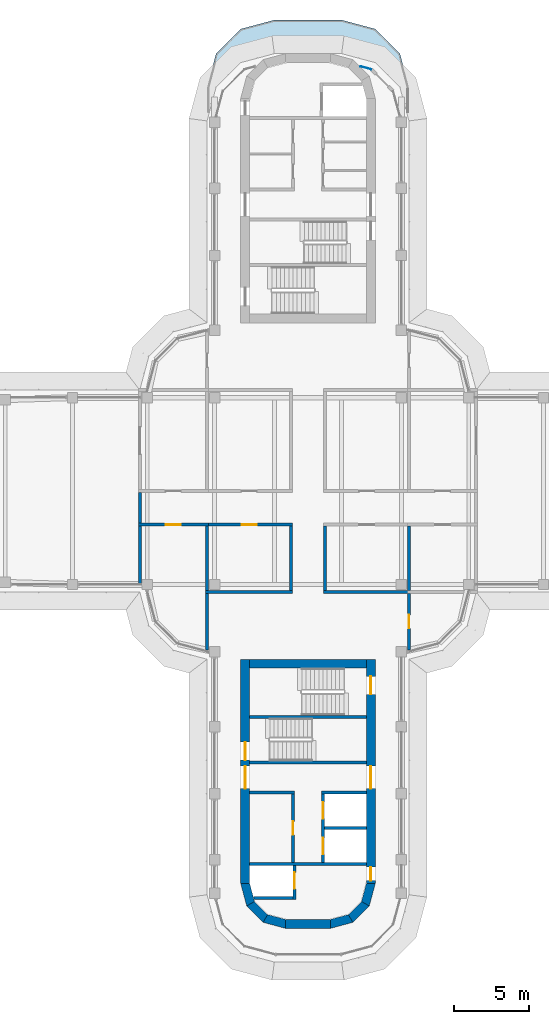
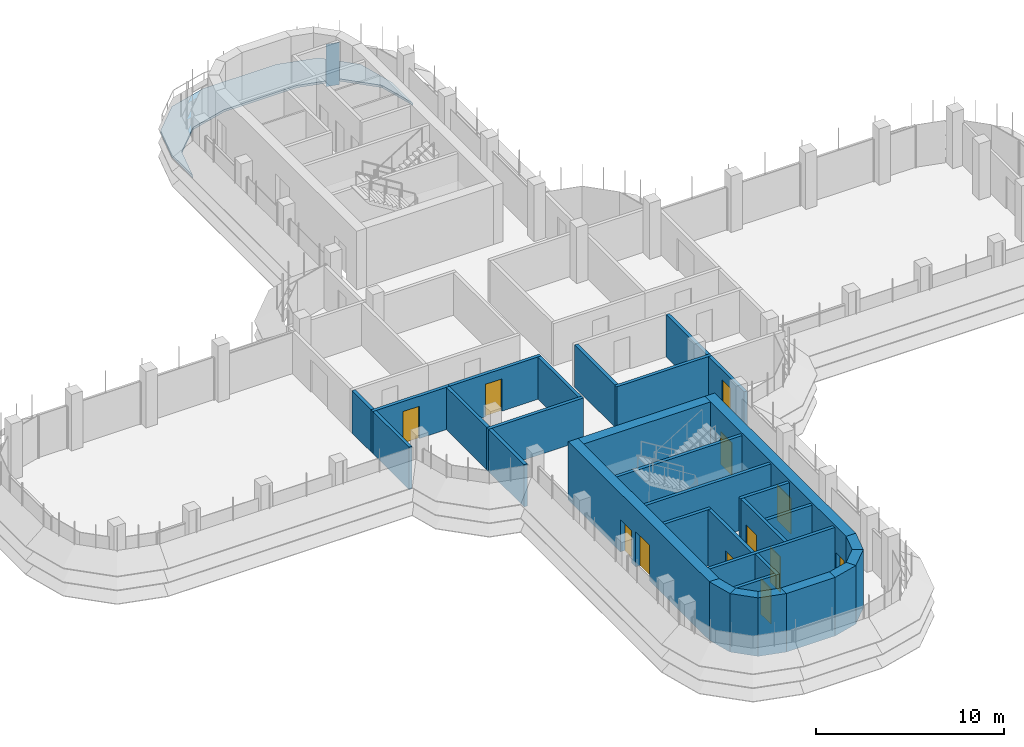
# One storey, part 13 of 19: 32 walls, 12 doors, 1 plate, 1 slab, 12 openings, 1 element without a shape of its own.
"""IFC4 building model written with IfcOpenShell, lengths in metres."""

from ifc_helpers import new_model, si_unit, direction, frame, frame_2d, origin, place, context, subcontext, project, spatial, polyline, rectangle, outline, extrude, source, transform, mapped, material, layer, layer_set, type_object, element, fill, aggregate, save


model = new_model("IFC4")

# Units and contexts
model_context = context("Model", 3, precision=1e-05, world=origin(), true_north=direction((0.0, 1.0)))
body_context = subcontext(model_context, "Body", "Model", "MODEL_VIEW")
ifc_project = project(units=[si_unit("LENGTHUNIT", "METRE"), si_unit("AREAUNIT", "SQUARE_METRE"), si_unit("VOLUMEUNIT", "CUBIC_METRE"), si_unit("PLANEANGLEUNIT", "RADIAN"), si_unit("MASSUNIT", "GRAM", prefix="KILO")], contexts=[model_context])

# Site, building, storey
site_placement = place(None, origin())
site = spatial("IfcSite", under=ifc_project, at=site_placement, CompositionType="ELEMENT")
building_placement = place(site_placement, origin())
building = spatial("IfcBuilding", under=site, at=building_placement, Name="Zarbagh Exchange Tower", CompositionType="ELEMENT")
storey_placement = place(building_placement, frame((0.0, 0.0, 218.199951171875)))
storey = spatial("IfcBuildingStorey", under=building, at=storey_placement, Name="L53", CompositionType="ELEMENT", Elevation=218.199951171875)

# Slab
ifc_material_1 = material(Name="Concrete C40/50", Category="concrete")
ifc_layer_1 = layer(ifc_material_1, 0.14990234375)
ifc_layer_set_1 = layer_set([ifc_layer_1], Name="Step terrace roof slab 150 C40/50")
slab_type = type_object("IfcSlabType", Name="Step terrace roof slab 150 C40/50", PredefinedType="ROOF", material=ifc_layer_set_1)
slab_placement = place(storey_placement, frame((0.0, 0.0, -0.14990234375)))
element("IfcSlab", 1, at=slab_placement, inside=storey, type_object=slab_type, Name="S10 step terrace roof slab", PredefinedType="ROOF", context=body_context, shape_type="SweptSolid", body=[
    extrude(outline(polyline([(-6.75, 27.0), (-6.147216796875, 29.25), (-4.5, 30.897216796875), (-2.25, 31.5), (2.25, 31.5), (4.5, 30.897216796875), (6.147216796875, 29.25), (6.75, 27.0), (6.75, 24.75), (6.147216796875, 27.0), (4.5, 28.647216796875), (2.25, 29.25), (-2.25, 29.25), (-4.5, 28.647216796875), (-6.147216796875, 27.0), (-6.75, 24.75), (-6.75, 27.0)])), origin(), (0.0, 0.0, 1.0), 0.14990234375),
])

# Curtain wall, plate
ifc_material_2 = material(Name="Anodised aluminium frame and glazing", Category="aluminium")
curtain_wall_type = type_object("IfcCurtainWallType", Name="CWB Ribbon glazing, upper zones", PredefinedType="NOTDEFINED", material=ifc_material_2)
curtain_wall_placement = place(storey_placement, origin())
curtain_wall = element("IfcCurtainWall", 2, at=curtain_wall_placement, inside=storey, type_object=curtain_wall_type, Name="CWB69 curtain wall", PredefinedType="NOTDEFINED")
ifc_material_3 = material(Name="Low-e double glazed unit, 6+12+6 mm")
ifc_layer_2 = layer(ifc_material_3, 0.031982421875)
ifc_layer_set_2 = layer_set([ifc_layer_2], Name="PAB Glazing panel, Low-e double glazed unit, 6+12+6 mm")
plate_type = type_object("IfcPlateType", Name="PAB Glazing panel, Low-e double glazed unit, 6+12+6 mm", PredefinedType="CURTAIN_PANEL", material=ifc_layer_set_2)
shared_shape = source(origin(), body_context, "Body", "SweptSolid", [
    extrude(outline(polyline([(0.0, -0.01611328125), (0.757080078125, -0.01611328125), (0.757080078125, 0.01611328125), (0.0, 0.01611328125), (0.0, -0.01611328125)])), origin(), (0.0, 0.0, 1.0), 2.75),
])
plate_placement = place(storey_placement, origin())
plate = element("IfcPlate", 3, at=plate_placement, type_object=plate_type, Name="CWB69 glazing panel 1.1", PredefinedType="CURTAIN_PANEL", context=body_context, shape_type="MappedRepresentation", body=[
    mapped(shared_shape, transform((4.2412109375, 28.19873046875, 0.0), x_axis=(-0.965924289636, 0.258824779902, 0.0), y_axis=(-0.258824779902, -0.965924289636, 0.0), z_axis=(0.0, 0.0, 1.0))),
])
aggregate(curtain_wall, [plate])

# Wall, opening, door
ifc_material_4 = material(Name="Fire-rated plasterboard partition")
ifc_layer_3 = layer(ifc_material_4, 0.199951171875)
ifc_layer_set_3 = layer_set([ifc_layer_3], Name="RATED PARTITION 200")
wall_type_1 = type_object("IfcWallType", Name="RATED PARTITION 200", PredefinedType="PARTITIONING", material=ifc_layer_set_3)
wall_1_placement = place(storey_placement, frame((-1.02490234375, -2.25, 0.0), z_axis=(0.0, 0.0, 1.0), x_axis=(-1.0, 0.0, 0.0)))
wall_1 = element("IfcWall", 4, at=wall_1_placement, inside=storey, type_object=wall_type_1, Name="Partition W-2307", PredefinedType="PARTITIONING", context=body_context, shape_type="SweptSolid", body=[
    extrude(rectangle(XDim=5.8251953125, YDim=0.199951171875, at=frame_2d((2.91259765625, 0.0))), origin(), (0.0, 0.0, 1.0), 2.75),
])
opening_1_placement = place(wall_1_placement, frame((2.41259765625, 0.0, 0.0)))
opening_1 = element("IfcOpeningElement", 5, at=opening_1_placement, cuts=wall_1, Name="Opening D-2312", PredefinedType="OPENING", context=body_context, shape_type="SweptSolid", body=[
    extrude(rectangle(XDim=1.0, YDim=2.10009765625, at=frame_2d((0.5, 1.050048828125))), frame((0.0, 0.10986328125, 0.0), z_axis=(0.0, -1.0, 0.0), x_axis=(1.0, 0.0, 0.0)), (0.0, 0.0, 1.0), 0.219970703125),
])
ifc_material_5 = material(Name="Steel door set", Category="steel")
door_type_1 = type_object("IfcDoorType", Name="FIRE DOOR 1000 X 2100 FD30S", OperationType="NOTDEFINED", PredefinedType="DOOR", material=ifc_material_5)
door_1_placement = place(opening_1_placement, origin())
door_1 = element("IfcDoor", 6, at=door_1_placement, inside=storey, type_object=door_type_1, Name="Door D-2312", OperationType="SINGLE_SWING_RIGHT", OverallHeight=2.10009765625, OverallWidth=1.0, PredefinedType="DOOR", context=body_context, shape_type="SweptSolid", body=[
    extrude(rectangle(XDim=1.0, YDim=2.10009765625, at=frame_2d((0.5, 1.050048828125))), frame((0.0, 0.02490234375, 0.0), z_axis=(0.0, -1.0, 0.0), x_axis=(1.0, 0.0, 0.0)), (0.0, 0.0, 1.0), 0.050048828125),
])
fill(opening_1, door_1)

wall_2_placement = place(storey_placement, frame((-6.64990234375, -2.25, 0.0), z_axis=(0.0, 0.0, 1.0), x_axis=(-1.0, 0.0, 0.0)))
wall_2 = element("IfcWall", 7, at=wall_2_placement, inside=storey, type_object=wall_type_1, Name="Partition W-2308", PredefinedType="PARTITIONING", context=body_context, shape_type="SweptSolid", body=[
    extrude(rectangle(XDim=4.7001953125, YDim=0.199951171875, at=frame_2d((2.35009765625, 0.0))), origin(), (0.0, 0.0, 1.0), 2.75),
])
opening_2_placement = place(wall_2_placement, frame((1.85009765625, 0.0, 0.0)))
opening_2 = element("IfcOpeningElement", 8, at=opening_2_placement, cuts=wall_2, Name="Opening D-2313", PredefinedType="OPENING", context=body_context, shape_type="SweptSolid", body=[
    extrude(rectangle(XDim=1.0, YDim=2.10009765625, at=frame_2d((0.5, 1.050048828125))), frame((0.0, 0.10986328125, 0.0), z_axis=(0.0, -1.0, 0.0), x_axis=(1.0, 0.0, 0.0)), (0.0, 0.0, 1.0), 0.219970703125),
])
door_2_placement = place(opening_2_placement, origin())
door_2 = element("IfcDoor", 9, at=door_2_placement, inside=storey, type_object=door_type_1, Name="Door D-2313", OperationType="SINGLE_SWING_RIGHT", OverallHeight=2.10009765625, OverallWidth=1.0, PredefinedType="DOOR", context=body_context, shape_type="SweptSolid", body=[
    extrude(rectangle(XDim=1.0, YDim=2.10009765625, at=frame_2d((0.5, 1.050048828125))), frame((0.0, 0.02490234375, 0.0), z_axis=(0.0, -1.0, 0.0), x_axis=(1.0, 0.0, 0.0)), (0.0, 0.0, 1.0), 0.050048828125),
])
fill(opening_2, door_2)

# Walls
wall_3_placement = place(storey_placement, frame((-11.25, -2.14990234375, 0.0), z_axis=(0.0, 0.0, 1.0), x_axis=(0.0, 1.0, 0.0)))
element("IfcWall", 10, at=wall_3_placement, inside=storey, type_object=wall_type_1, Name="Partition W-2310", PredefinedType="PARTITIONING", context=body_context, shape_type="SweptSolid", body=[
    extrude(rectangle(XDim=2.0498046875, YDim=0.199951171875, at=frame_2d((1.02490234375, 0.0))), origin(), (0.0, 0.0, 1.0), 2.75),
])
for number, where, z_axis, x_axis, name in (
    (11, (1.125, -6.64990234375, 0.0), (0.0, 0.0, 1.0), (0.0, 1.0, 0.0), "Partition W-2313"),
    (12, (-1.125, -6.64990234375, 0.0), (0.0, 0.0, 1.0), (0.0, 1.0, 0.0), "Partition W-2314"),
):
    element("IfcWall", number, at=place(storey_placement, frame(where, z_axis=z_axis, x_axis=x_axis)), inside=storey, type_object=wall_type_1, Name=name, PredefinedType="PARTITIONING", context=body_context, shape_type="SweptSolid", body=[
        extrude(rectangle(XDim=4.2998046875, YDim=0.199951171875, at=frame_2d((2.14990234375, 0.0))), origin(), (0.0, 0.0, 1.0), 2.75),
    ])
wall_4_placement = place(storey_placement, frame((1.02490234375, -6.75, 0.0), z_axis=(0.0, 0.0, 1.0), x_axis=(1.0, 0.0, 0.0)))
element("IfcWall", 13, at=wall_4_placement, inside=storey, type_object=wall_type_1, Name="Partition W-2319", PredefinedType="PARTITIONING", context=body_context, shape_type="SweptSolid", body=[
    extrude(rectangle(XDim=5.8251953125, YDim=0.199951171875, at=frame_2d((2.91259765625, 0.0))), origin(), (0.0, 0.0, 1.0), 2.75),
])

# Wall, opening, door
wall_5_placement = place(storey_placement, frame((6.75, -6.85009765625, 0.0), z_axis=(0.0, 0.0, 1.0), x_axis=(0.0, -1.0, 0.0)))
wall_5 = element("IfcWall", 14, at=wall_5_placement, inside=storey, type_object=wall_type_1, Name="Partition W-2320", PredefinedType="PARTITIONING", context=body_context, shape_type="SweptSolid", body=[
    extrude(rectangle(XDim=3.77978515625, YDim=0.199951171875, at=frame_2d((1.889892578125, 0.0))), origin(), (0.0, 0.0, 1.0), 2.75),
])
opening_3_placement = place(wall_5_placement, frame((1.43994140625, 0.0, 0.0)))
opening_3 = element("IfcOpeningElement", 15, at=opening_3_placement, cuts=wall_5, Name="Opening D-2311", PredefinedType="OPENING", context=body_context, shape_type="SweptSolid", body=[
    extrude(rectangle(XDim=0.89990234375, YDim=2.10009765625, at=frame_2d((0.449951171875, 1.050048828125))), frame((0.0, 0.10986328125, 0.0), z_axis=(0.0, -1.0, 0.0), x_axis=(1.0, 0.0, 0.0)), (0.0, 0.0, 1.0), 0.219970703125),
])
ifc_material_6 = material(Name="Timber door leaf", Category="wood")
door_type_2 = type_object("IfcDoorType", Name="DOOR 900 X 2100", OperationType="NOTDEFINED", PredefinedType="DOOR", material=ifc_material_6)
door_3_placement = place(opening_3_placement, origin())
door_3 = element("IfcDoor", 16, at=door_3_placement, inside=storey, type_object=door_type_2, Name="Door D-2311", OperationType="SINGLE_SWING_LEFT", OverallHeight=2.10009765625, OverallWidth=0.89990234375, PredefinedType="DOOR", context=body_context, shape_type="SweptSolid", body=[
    extrude(rectangle(XDim=0.89990234375, YDim=2.10009765625, at=frame_2d((0.449951171875, 1.050048828125))), frame((0.0, 0.02490234375, 0.0), z_axis=(0.0, -1.0, 0.0), x_axis=(1.0, 0.0, 0.0)), (0.0, 0.0, 1.0), 0.050048828125),
])
fill(opening_3, door_3)

# Walls
wall_6_placement = place(storey_placement, frame((-6.85009765625, -6.75, 0.0), z_axis=(0.0, 0.0, 1.0), x_axis=(1.0, 0.0, 0.0)))
element("IfcWall", 17, at=wall_6_placement, inside=storey, type_object=wall_type_1, Name="Partition W-2321", PredefinedType="PARTITIONING", context=body_context, shape_type="SweptSolid", body=[
    extrude(rectangle(XDim=5.8251953125, YDim=0.199951171875, at=frame_2d((2.91259765625, 0.0))), origin(), (0.0, 0.0, 1.0), 2.75),
])
wall_7_placement = place(storey_placement, frame((-6.75, -10.6298828125, 0.0), z_axis=(0.0, 0.0, 1.0), x_axis=(0.0, 1.0, 0.0)))
element("IfcWall", 18, at=wall_7_placement, inside=storey, type_object=wall_type_1, Name="Partition W-2322", PredefinedType="PARTITIONING", context=body_context, shape_type="SweptSolid", body=[
    extrude(rectangle(XDim=3.77978515625, YDim=0.199951171875, at=frame_2d((1.889892578125, 0.0))), origin(), (0.0, 0.0, 1.0), 2.75),
])
for number, where, z_axis, x_axis, name in (
    (19, (6.75, -6.64990234375, 0.0), (0.0, 0.0, 1.0), (0.0, 1.0, 0.0), "Partition W-2329"),
    (20, (-6.75, -6.64990234375, 0.0), (0.0, 0.0, 1.0), (0.0, 1.0, 0.0), "Partition W-2332"),
):
    element("IfcWall", number, at=place(storey_placement, frame(where, z_axis=z_axis, x_axis=x_axis)), inside=storey, type_object=wall_type_1, Name=name, PredefinedType="PARTITIONING", context=body_context, shape_type="SweptSolid", body=[
        extrude(rectangle(XDim=4.2998046875, YDim=0.199951171875, at=frame_2d((2.14990234375, 0.0))), origin(), (0.0, 0.0, 1.0), 2.75),
    ])
wall_8_placement = place(storey_placement, frame((-11.25, -6.169921875, 0.0), z_axis=(0.0, 0.0, 1.0), x_axis=(0.0, 1.0, 0.0)))
element("IfcWall", 21, at=wall_8_placement, inside=storey, type_object=wall_type_1, Name="Partition W-2333", PredefinedType="PARTITIONING", context=body_context, shape_type="SweptSolid", body=[
    extrude(rectangle(XDim=3.81982421875, YDim=0.199951171875, at=frame_2d((1.909912109375, 0.0))), origin(), (0.0, 0.0, 1.0), 2.75),
])
ifc_material_7 = material(Name="Concrete C50/60", Category="concrete")
ifc_layer_4 = layer(ifc_material_7, 0.60009765625)
ifc_layer_set_4 = layer_set([ifc_layer_4], Name="RC core corner wall 600 C50/60")
wall_type_2 = type_object("IfcWallType", Name="RC core corner wall 600 C50/60", PredefinedType="SHEAR", material=ifc_layer_set_4)
wall_9_placement = place(storey_placement, origin())
element("IfcWall", 22, at=wall_9_placement, inside=storey, type_object=wall_type_2, Name="CW8 core S corner W", PredefinedType="SHEAR", context=body_context, shape_type="SweptSolid", body=[
    extrude(outline(polyline([(-4.5, -26.25), (-4.09814453125, -27.75), (-3.57861328125, -27.449951171875), (-3.89990234375, -26.25), (-4.5, -26.25)])), origin(), (0.0, 0.0, 1.0), 3.800048828125),
])
wall_10_placement = place(storey_placement, origin())
element("IfcWall", 23, at=wall_10_placement, inside=storey, type_object=wall_type_2, Name="CW8 core S corner W", PredefinedType="SHEAR", context=body_context, shape_type="SweptSolid", body=[
    extrude(outline(polyline([(-4.09814453125, -27.75), (-3.0, -28.84814453125), (-2.699951171875, -28.32861328125), (-3.57861328125, -27.449951171875), (-4.09814453125, -27.75)])), origin(), (0.0, 0.0, 1.0), 3.800048828125),
])
wall_11_placement = place(storey_placement, origin())
element("IfcWall", 24, at=wall_11_placement, inside=storey, type_object=wall_type_2, Name="CW8 core S corner W", PredefinedType="SHEAR", context=body_context, shape_type="SweptSolid", body=[
    extrude(outline(polyline([(-3.0, -28.84814453125), (-1.5, -29.25), (-1.5, -28.64990234375), (-2.699951171875, -28.32861328125), (-3.0, -28.84814453125)])), origin(), (0.0, 0.0, 1.0), 3.800048828125),
])
wall_12_placement = place(storey_placement, origin())
element("IfcWall", 25, at=wall_12_placement, inside=storey, type_object=wall_type_2, Name="CW8 core S corner E", PredefinedType="SHEAR", context=body_context, shape_type="SweptSolid", body=[
    extrude(outline(polyline([(4.5, -26.25), (4.09814453125, -27.75), (3.57861328125, -27.449951171875), (3.89990234375, -26.25), (4.5, -26.25)])), origin(), (0.0, 0.0, 1.0), 3.800048828125),
])
wall_13_placement = place(storey_placement, origin())
element("IfcWall", 26, at=wall_13_placement, inside=storey, type_object=wall_type_2, Name="CW8 core S corner E", PredefinedType="SHEAR", context=body_context, shape_type="SweptSolid", body=[
    extrude(outline(polyline([(4.09814453125, -27.75), (3.0, -28.84814453125), (2.699951171875, -28.32861328125), (3.57861328125, -27.449951171875), (4.09814453125, -27.75)])), origin(), (0.0, 0.0, 1.0), 3.800048828125),
])
wall_14_placement = place(storey_placement, origin())
element("IfcWall", 27, at=wall_14_placement, inside=storey, type_object=wall_type_2, Name="CW8 core S corner E", PredefinedType="SHEAR", context=body_context, shape_type="SweptSolid", body=[
    extrude(outline(polyline([(3.0, -28.84814453125), (1.5, -29.25), (1.5, -28.64990234375), (2.699951171875, -28.32861328125), (3.0, -28.84814453125)])), origin(), (0.0, 0.0, 1.0), 3.800048828125),
])

# Wall, openings, doors
ifc_layer_5 = layer(ifc_material_7, 0.60009765625)
ifc_layer_set_5 = layer_set([ifc_layer_5], Name="RC core wall 600 C50/60")
wall_type_3 = type_object("IfcWallType", Name="RC core wall 600 C50/60", PredefinedType="SHEAR", material=ifc_layer_set_5)
wall_15_placement = place(storey_placement, frame((-4.199951171875, -11.25, 0.0), z_axis=(0.0, 0.0, 1.0), x_axis=(0.0, -1.0, 0.0)))
wall_15 = element("IfcWall", 28, at=wall_15_placement, inside=storey, type_object=wall_type_3, Name="CW7 core S W", PredefinedType="SHEAR", context=body_context, shape_type="SweptSolid", body=[
    extrude(rectangle(XDim=15.0, YDim=0.60009765625, at=frame_2d((7.5, 0.0))), origin(), (0.0, 0.0, 1.0), 3.800048828125),
])
opening_4_placement = place(wall_15_placement, frame((7.14990234375, 0.0, 0.0)))
opening_4 = element("IfcOpeningElement", 29, at=opening_4_placement, cuts=wall_15, Name="Opening CD1-1500", PredefinedType="OPENING", context=body_context, shape_type="SweptSolid", body=[
    extrude(rectangle(XDim=1.5, YDim=2.300048828125, at=frame_2d((0.75, 1.14990234375))), frame((0.0, 0.31005859375, 0.0), z_axis=(0.0, -1.0, 0.0), x_axis=(1.0, 0.0, 0.0)), (0.0, 0.0, 1.0), 0.6201171875),
])
opening_5_placement = place(wall_15_placement, frame((5.550048828125, 0.0, 0.0)))
opening_5 = element("IfcOpeningElement", 30, at=opening_5_placement, cuts=wall_15, Name="Opening SD1-1200", PredefinedType="OPENING", context=body_context, shape_type="SweptSolid", body=[
    extrude(rectangle(XDim=1.199951171875, YDim=2.10009765625, at=frame_2d((0.60009765625, 1.050048828125))), frame((0.0, 0.31005859375, 0.0), z_axis=(0.0, -1.0, 0.0), x_axis=(1.0, 0.0, 0.0)), (0.0, 0.0, 1.0), 0.6201171875),
])
ifc_material_8 = material(Name="Steel", Category="steel")
door_type_3 = type_object("IfcDoorType", Name="Exit stair door 1200 x 2100", OperationType="NOTDEFINED", PredefinedType="DOOR", material=ifc_material_8)
door_4_placement = place(opening_5_placement, origin())
door_4 = element("IfcDoor", 31, at=door_4_placement, inside=storey, type_object=door_type_3, Name="South core stair door ST1", OperationType="SINGLE_SWING_RIGHT", OverallHeight=2.10009765625, OverallWidth=1.199951171875, PredefinedType="DOOR", context=body_context, shape_type="SweptSolid", body=[
    extrude(rectangle(XDim=1.199951171875, YDim=2.10009765625, at=frame_2d((0.60009765625, 1.050048828125))), frame((0.0, 0.02490234375, 0.0), z_axis=(0.0, -1.0, 0.0), x_axis=(1.0, 0.0, 0.0)), (0.0, 0.0, 1.0), 0.050048828125),
])
fill(opening_5, door_4)
door_type_4 = type_object("IfcDoorType", Name="Lift lobby double door 1500 x 2300", OperationType="NOTDEFINED", PredefinedType="DOOR", material=ifc_material_8)
door_5_placement = place(opening_4_placement, origin())
door_5 = element("IfcDoor", 32, at=door_5_placement, inside=storey, type_object=door_type_4, Name="South core lift lobby door LOBBY-E", OperationType="DOUBLE_DOOR_SINGLE_SWING", OverallHeight=2.300048828125, OverallWidth=1.5, PredefinedType="DOOR", context=body_context, shape_type="SweptSolid", body=[
    extrude(rectangle(XDim=1.5, YDim=2.300048828125, at=frame_2d((0.75, 1.14990234375))), frame((0.0, 0.02490234375, 0.0), z_axis=(0.0, -1.0, 0.0), x_axis=(1.0, 0.0, 0.0)), (0.0, 0.0, 1.0), 0.050048828125),
])
fill(opening_4, door_5)

wall_16_placement = place(storey_placement, frame((4.199951171875, -11.25, 0.0), z_axis=(0.0, 0.0, 1.0), x_axis=(0.0, -1.0, 0.0)))
wall_16 = element("IfcWall", 33, at=wall_16_placement, inside=storey, type_object=wall_type_3, Name="CW7 core S E", PredefinedType="SHEAR", context=body_context, shape_type="SweptSolid", body=[
    extrude(rectangle(XDim=15.0, YDim=0.60009765625, at=frame_2d((7.5, 0.0))), origin(), (0.0, 0.0, 1.0), 3.800048828125),
])
opening_6_placement = place(wall_16_placement, frame((7.14990234375, 0.0, 0.0)))
opening_6 = element("IfcOpeningElement", 34, at=opening_6_placement, cuts=wall_16, Name="Opening CD1-1500", PredefinedType="OPENING", context=body_context, shape_type="SweptSolid", body=[
    extrude(rectangle(XDim=1.5, YDim=2.300048828125, at=frame_2d((0.75, 1.14990234375))), frame((0.0, 0.31005859375, 0.0), z_axis=(0.0, -1.0, 0.0), x_axis=(1.0, 0.0, 0.0)), (0.0, 0.0, 1.0), 0.6201171875),
])
opening_7_placement = place(wall_16_placement, frame((13.89990234375, 0.0, 0.0)))
opening_7 = element("IfcOpeningElement", 35, at=opening_7_placement, cuts=wall_16, Name="Opening CD2-900", PredefinedType="OPENING", context=body_context, shape_type="SweptSolid", body=[
    extrude(rectangle(XDim=0.89990234375, YDim=2.10009765625, at=frame_2d((0.449951171875, 1.050048828125))), frame((0.0, 0.31005859375, 0.0), z_axis=(0.0, -1.0, 0.0), x_axis=(1.0, 0.0, 0.0)), (0.0, 0.0, 1.0), 0.6201171875),
])
opening_8_placement = place(wall_16_placement, frame((1.14990234375, 0.0, 0.0)))
opening_8 = element("IfcOpeningElement", 36, at=opening_8_placement, cuts=wall_16, Name="Opening SD1-1200", PredefinedType="OPENING", context=body_context, shape_type="SweptSolid", body=[
    extrude(rectangle(XDim=1.199951171875, YDim=2.10009765625, at=frame_2d((0.60009765625, 1.050048828125))), frame((0.0, 0.31005859375, 0.0), z_axis=(0.0, -1.0, 0.0), x_axis=(1.0, 0.0, 0.0)), (0.0, 0.0, 1.0), 0.6201171875),
])
door_6_placement = place(opening_8_placement, origin())
door_6 = element("IfcDoor", 37, at=door_6_placement, inside=storey, type_object=door_type_3, Name="South core stair door ST2", OperationType="SINGLE_SWING_RIGHT", OverallHeight=2.10009765625, OverallWidth=1.199951171875, PredefinedType="DOOR", context=body_context, shape_type="SweptSolid", body=[
    extrude(rectangle(XDim=1.199951171875, YDim=2.10009765625, at=frame_2d((0.60009765625, 1.050048828125))), frame((0.0, 0.02490234375, 0.0), z_axis=(0.0, -1.0, 0.0), x_axis=(1.0, 0.0, 0.0)), (0.0, 0.0, 1.0), 0.050048828125),
])
fill(opening_8, door_6)
door_type_5 = type_object("IfcDoorType", Name="Firefighting lobby door 900 x 2100", OperationType="NOTDEFINED", PredefinedType="DOOR", material=ifc_material_8)
door_7_placement = place(opening_7_placement, origin())
door_7 = element("IfcDoor", 38, at=door_7_placement, inside=storey, type_object=door_type_5, Name="South core firefighting lobby door FF-W", OperationType="SINGLE_SWING_RIGHT", OverallHeight=2.10009765625, OverallWidth=0.89990234375, PredefinedType="DOOR", context=body_context, shape_type="SweptSolid", body=[
    extrude(rectangle(XDim=0.89990234375, YDim=2.10009765625, at=frame_2d((0.449951171875, 1.050048828125))), frame((0.0, 0.02490234375, 0.0), z_axis=(0.0, -1.0, 0.0), x_axis=(1.0, 0.0, 0.0)), (0.0, 0.0, 1.0), 0.050048828125),
])
fill(opening_7, door_7)
door_8_placement = place(opening_6_placement, origin())
door_8 = element("IfcDoor", 39, at=door_8_placement, inside=storey, type_object=door_type_4, Name="South core lift lobby door LOBBY-W", OperationType="DOUBLE_DOOR_SINGLE_SWING", OverallHeight=2.300048828125, OverallWidth=1.5, PredefinedType="DOOR", context=body_context, shape_type="SweptSolid", body=[
    extrude(rectangle(XDim=1.5, YDim=2.300048828125, at=frame_2d((0.75, 1.14990234375))), frame((0.0, 0.02490234375, 0.0), z_axis=(0.0, -1.0, 0.0), x_axis=(1.0, 0.0, 0.0)), (0.0, 0.0, 1.0), 0.050048828125),
])
fill(opening_6, door_8)

# Walls
wall_17_placement = place(storey_placement, frame((-3.89990234375, -11.550048828125, 0.0), z_axis=(0.0, 0.0, 1.0), x_axis=(1.0, 0.0, 0.0)))
element("IfcWall", 40, at=wall_17_placement, inside=storey, type_object=wall_type_3, Name="CW7 core S inner end", PredefinedType="SHEAR", context=body_context, shape_type="SweptSolid", body=[
    extrude(rectangle(XDim=7.7998046875, YDim=0.60009765625, at=frame_2d((3.89990234375, 0.0))), origin(), (0.0, 0.0, 1.0), 3.800048828125),
])
wall_18_placement = place(storey_placement, frame((-1.5, -28.949951171875, 0.0), z_axis=(0.0, 0.0, 1.0), x_axis=(1.0, 0.0, 0.0)))
element("IfcWall", 41, at=wall_18_placement, inside=storey, type_object=wall_type_3, Name="CW7 core S outer end", PredefinedType="SHEAR", context=body_context, shape_type="SweptSolid", body=[
    extrude(rectangle(XDim=3.0, YDim=0.60009765625, at=frame_2d((1.5, 0.0))), origin(), (0.0, 0.0, 1.0), 3.800048828125),
])
ifc_material_9 = material(Name="Dense blockwork", Category="masonry")
ifc_layer_6 = layer(ifc_material_9, 0.199951171875)
ifc_layer_set_6 = layer_set([ifc_layer_6], Name="Shaft wall 200 mm blockwork")
wall_type_4 = type_object("IfcWallType", Name="Shaft wall 200 mm blockwork", PredefinedType="PARTITIONING", material=ifc_layer_set_6)
wall_19_placement = place(storey_placement, frame((3.89990234375, -20.14990234375, 0.0), z_axis=(0.0, 0.0, 1.0), x_axis=(-1.0, 0.0, 0.0)))
element("IfcWall", 42, at=wall_19_placement, inside=storey, type_object=wall_type_4, Name="South core shaft wall AB-W", PredefinedType="PARTITIONING", context=body_context, shape_type="SweptSolid", body=[
    extrude(rectangle(XDim=3.0, YDim=0.199951171875, at=frame_2d((1.5, 0.0))), origin(), (0.0, 0.0, 1.0), 3.650146484375),
])

# Wall, openings, doors
wall_20_placement = place(storey_placement, frame((1.0, -24.85009765625, 0.0), z_axis=(0.0, 0.0, 1.0), x_axis=(0.0, 1.0, 0.0)))
wall_20 = element("IfcWall", 43, at=wall_20_placement, inside=storey, type_object=wall_type_4, Name="South core shaft wall LW-W", PredefinedType="PARTITIONING", context=body_context, shape_type="SweptSolid", body=[
    extrude(rectangle(XDim=4.60009765625, YDim=0.199951171875, at=frame_2d((2.300048828125, 0.0))), origin(), (0.0, 0.0, 1.0), 3.650146484375),
])
opening_9_placement = place(wall_20_placement, frame((0.550048828125, 0.0, 0.0)))
opening_9 = element("IfcOpeningElement", 44, at=opening_9_placement, cuts=wall_20, Name="Opening LD-1100", PredefinedType="OPENING", context=body_context, shape_type="SweptSolid", body=[
    extrude(rectangle(XDim=1.10009765625, YDim=2.300048828125, at=frame_2d((0.550048828125, 1.14990234375))), frame((0.0, 0.10986328125, 0.0), z_axis=(0.0, -1.0, 0.0), x_axis=(1.0, 0.0, 0.0)), (0.0, 0.0, 1.0), 0.219970703125),
])
opening_10_placement = place(wall_20_placement, frame((2.949951171875, 0.0, 0.0)))
opening_10 = element("IfcOpeningElement", 45, at=opening_10_placement, cuts=wall_20, Name="Opening LD-1100", PredefinedType="OPENING", context=body_context, shape_type="SweptSolid", body=[
    extrude(rectangle(XDim=1.10009765625, YDim=2.300048828125, at=frame_2d((0.550048828125, 1.14990234375))), frame((0.0, 0.10986328125, 0.0), z_axis=(0.0, -1.0, 0.0), x_axis=(1.0, 0.0, 0.0)), (0.0, 0.0, 1.0), 0.219970703125),
])
ifc_material_10 = material(Name="Stainless steel", Category="steel")
door_type_6 = type_object("IfcDoorType", Name="Lift landing door 1100 x 2300", OperationType="NOTDEFINED", PredefinedType="DOOR", material=ifc_material_10)
door_9_placement = place(opening_9_placement, origin())
door_9 = element("IfcDoor", 46, at=door_9_placement, inside=storey, type_object=door_type_6, Name="South core lift landing door LD-P-S1", OperationType="DOUBLE_DOOR_SLIDING", OverallHeight=2.300048828125, OverallWidth=1.10009765625, PredefinedType="DOOR", context=body_context, shape_type="SweptSolid", body=[
    extrude(rectangle(XDim=1.10009765625, YDim=2.300048828125, at=frame_2d((0.550048828125, 1.14990234375))), frame((0.0, 0.02490234375, 0.0), z_axis=(0.0, -1.0, 0.0), x_axis=(1.0, 0.0, 0.0)), (0.0, 0.0, 1.0), 0.050048828125),
])
fill(opening_9, door_9)
door_10_placement = place(opening_10_placement, origin())
door_10 = element("IfcDoor", 47, at=door_10_placement, inside=storey, type_object=door_type_6, Name="South core lift landing door LD-P-S2", OperationType="DOUBLE_DOOR_SLIDING", OverallHeight=2.300048828125, OverallWidth=1.10009765625, PredefinedType="DOOR", context=body_context, shape_type="SweptSolid", body=[
    extrude(rectangle(XDim=1.10009765625, YDim=2.300048828125, at=frame_2d((0.550048828125, 1.14990234375))), frame((0.0, 0.02490234375, 0.0), z_axis=(0.0, -1.0, 0.0), x_axis=(1.0, 0.0, 0.0)), (0.0, 0.0, 1.0), 0.050048828125),
])
fill(opening_10, door_10)

# Wall
wall_21_placement = place(storey_placement, frame((-0.89990234375, -20.14990234375, 0.0), z_axis=(0.0, 0.0, 1.0), x_axis=(-1.0, 0.0, 0.0)))
element("IfcWall", 48, at=wall_21_placement, inside=storey, type_object=wall_type_4, Name="South core shaft wall AB-E", PredefinedType="PARTITIONING", context=body_context, shape_type="SweptSolid", body=[
    extrude(rectangle(XDim=3.0, YDim=0.199951171875, at=frame_2d((1.5, 0.0))), origin(), (0.0, 0.0, 1.0), 3.650146484375),
])

# Wall, opening, door
wall_22_placement = place(storey_placement, frame((-1.0, -24.85009765625, 0.0), z_axis=(0.0, 0.0, 1.0), x_axis=(0.0, 1.0, 0.0)))
wall_22 = element("IfcWall", 49, at=wall_22_placement, inside=storey, type_object=wall_type_4, Name="South core shaft wall LW-E", PredefinedType="PARTITIONING", context=body_context, shape_type="SweptSolid", body=[
    extrude(rectangle(XDim=4.60009765625, YDim=0.199951171875, at=frame_2d((2.300048828125, 0.0))), origin(), (0.0, 0.0, 1.0), 3.650146484375),
])
opening_11_placement = place(wall_22_placement, frame((1.85009765625, 0.0, 0.0)))
opening_11 = element("IfcOpeningElement", 50, at=opening_11_placement, cuts=wall_22, Name="Opening CD3-900", PredefinedType="OPENING", context=body_context, shape_type="SweptSolid", body=[
    extrude(rectangle(XDim=0.89990234375, YDim=2.10009765625, at=frame_2d((0.449951171875, 1.050048828125))), frame((0.0, 0.10986328125, 0.0), z_axis=(0.0, -1.0, 0.0), x_axis=(1.0, 0.0, 0.0)), (0.0, 0.0, 1.0), 0.219970703125),
])
door_type_7 = type_object("IfcDoorType", Name="Core room door 900 x 2100", OperationType="NOTDEFINED", PredefinedType="DOOR", material=ifc_material_8)
door_11_placement = place(opening_11_placement, origin())
door_11 = element("IfcDoor", 51, at=door_11_placement, inside=storey, type_object=door_type_7, Name="South core Riser store door RD-E-0", OperationType="SINGLE_SWING_RIGHT", OverallHeight=2.10009765625, OverallWidth=0.89990234375, PredefinedType="DOOR", context=body_context, shape_type="SweptSolid", body=[
    extrude(rectangle(XDim=0.89990234375, YDim=2.10009765625, at=frame_2d((0.449951171875, 1.050048828125))), frame((0.0, 0.02490234375, 0.0), z_axis=(0.0, -1.0, 0.0), x_axis=(1.0, 0.0, 0.0)), (0.0, 0.0, 1.0), 0.050048828125),
])
fill(opening_11, door_11)

# Walls
wall_23_placement = place(storey_placement, frame((3.89990234375, -22.550048828125, 0.0), z_axis=(0.0, 0.0, 1.0), x_axis=(-1.0, 0.0, 0.0)))
element("IfcWall", 52, at=wall_23_placement, inside=storey, type_object=wall_type_4, Name="South core shaft wall TR-W", PredefinedType="PARTITIONING", context=body_context, shape_type="SweptSolid", body=[
    extrude(rectangle(XDim=2.7998046875, YDim=0.199951171875, at=frame_2d((1.39990234375, 0.0))), origin(), (0.0, 0.0, 1.0), 3.650146484375),
])
ifc_layer_7 = layer(ifc_material_1, 0.199951171875)
ifc_layer_set_7 = layer_set([ifc_layer_7], Name="Stair enclosure wall 200 mm RC C40/50")
wall_type_5 = type_object("IfcWallType", Name="Stair enclosure wall 200 mm RC C40/50", PredefinedType="SHEAR", material=ifc_layer_set_7)
wall_24_placement = place(storey_placement, frame((3.89990234375, -24.949951171875, 0.0), z_axis=(0.0, 0.0, 1.0), x_axis=(-1.0, 0.0, 0.0)))
element("IfcWall", 53, at=wall_24_placement, inside=storey, type_object=wall_type_5, Name="South core lift shaft wall FFA", PredefinedType="SHEAR", context=body_context, shape_type="SweptSolid", body=[
    extrude(rectangle(XDim=7.7998046875, YDim=0.199951171875, at=frame_2d((3.89990234375, 0.0))), origin(), (0.0, 0.0, 1.0), 3.650146484375),
])

# Wall, opening, door
wall_25_placement = place(storey_placement, frame((-0.89990234375, -27.300048828125, 0.0), z_axis=(0.0, 0.0, 1.0), x_axis=(0.0, 1.0, 0.0)))
wall_25 = element("IfcWall", 54, at=wall_25_placement, inside=storey, type_object=wall_type_5, Name="South core lift shaft wall FFL", PredefinedType="SHEAR", context=body_context, shape_type="SweptSolid", body=[
    extrude(rectangle(XDim=2.25, YDim=0.199951171875, at=frame_2d((1.125, 0.0))), origin(), (0.0, 0.0, 1.0), 3.650146484375),
])
opening_12_placement = place(wall_25_placement, frame((0.699951171875, 0.0, 0.0)))
opening_12 = element("IfcOpeningElement", 55, at=opening_12_placement, cuts=wall_25, Name="Opening LD-1100", PredefinedType="OPENING", context=body_context, shape_type="SweptSolid", body=[
    extrude(rectangle(XDim=1.10009765625, YDim=2.300048828125, at=frame_2d((0.550048828125, 1.14990234375))), frame((0.0, 0.10986328125, 0.0), z_axis=(0.0, -1.0, 0.0), x_axis=(1.0, 0.0, 0.0)), (0.0, 0.0, 1.0), 0.219970703125),
])
door_12_placement = place(opening_12_placement, origin())
door_12 = element("IfcDoor", 56, at=door_12_placement, inside=storey, type_object=door_type_6, Name="South core lift landing door LD-F", OperationType="DOUBLE_DOOR_SLIDING", OverallHeight=2.300048828125, OverallWidth=1.10009765625, PredefinedType="DOOR", context=body_context, shape_type="SweptSolid", body=[
    extrude(rectangle(XDim=1.10009765625, YDim=2.300048828125, at=frame_2d((0.550048828125, 1.14990234375))), frame((0.0, 0.02490234375, 0.0), z_axis=(0.0, -1.0, 0.0), x_axis=(1.0, 0.0, 0.0)), (0.0, 0.0, 1.0), 0.050048828125),
])
fill(opening_12, door_12)

# Walls
wall_26_placement = place(storey_placement, origin())
element("IfcWall", 57, at=wall_26_placement, inside=storey, type_object=wall_type_5, Name="South core lift shaft wall FFX", PredefinedType="SHEAR", context=body_context, shape_type="SweptSolid", body=[
    extrude(outline(polyline([(-1.0, -27.10009765625), (-3.651123046875, -27.10009765625), (-3.597412109375, -27.300048828125), (-1.0, -27.300048828125), (-1.0, -27.10009765625)])), origin(), (0.0, 0.0, 1.0), 3.650146484375),
])
for number, where, z_axis, x_axis, name in (
    (58, (3.89990234375, -18.14990234375, 0.0), (0.0, 0.0, 1.0), (-1.0, 0.0, 0.0), "South core stair wall BS"),
    (59, (3.89990234375, -15.10009765625, 0.0), (0.0, 0.0, 1.0), (-1.0, 0.0, 0.0), "South core stair wall ST12"),
):
    element("IfcWall", number, at=place(storey_placement, frame(where, z_axis=z_axis, x_axis=x_axis)), inside=storey, type_object=wall_type_5, Name=name, PredefinedType="SHEAR", context=body_context, shape_type="SweptSolid", body=[
        extrude(rectangle(XDim=7.7998046875, YDim=0.199951171875, at=frame_2d((3.89990234375, 0.0))), origin(), (0.0, 0.0, 1.0), 3.650146484375),
    ])

save(model, "model.ifc")
